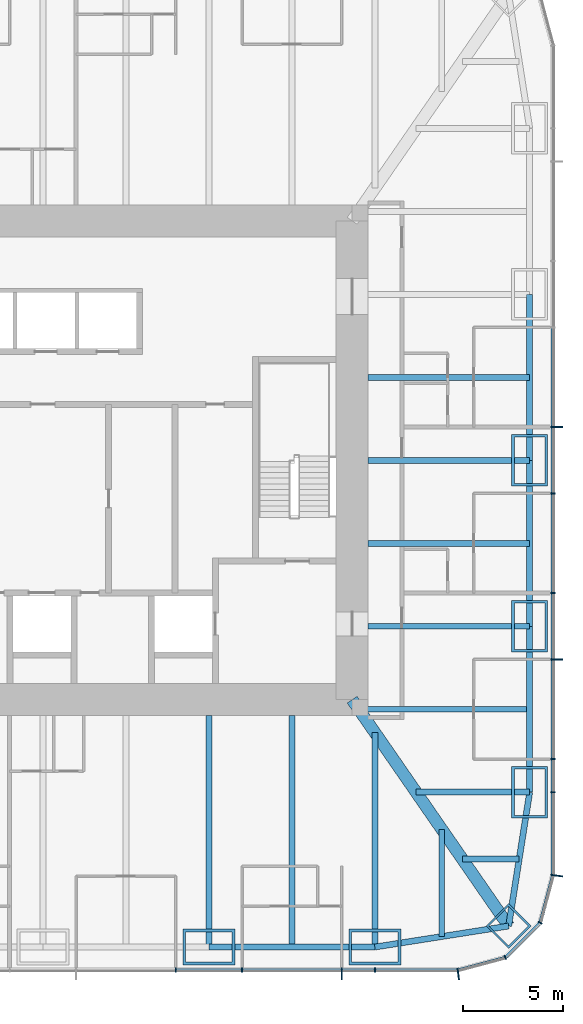
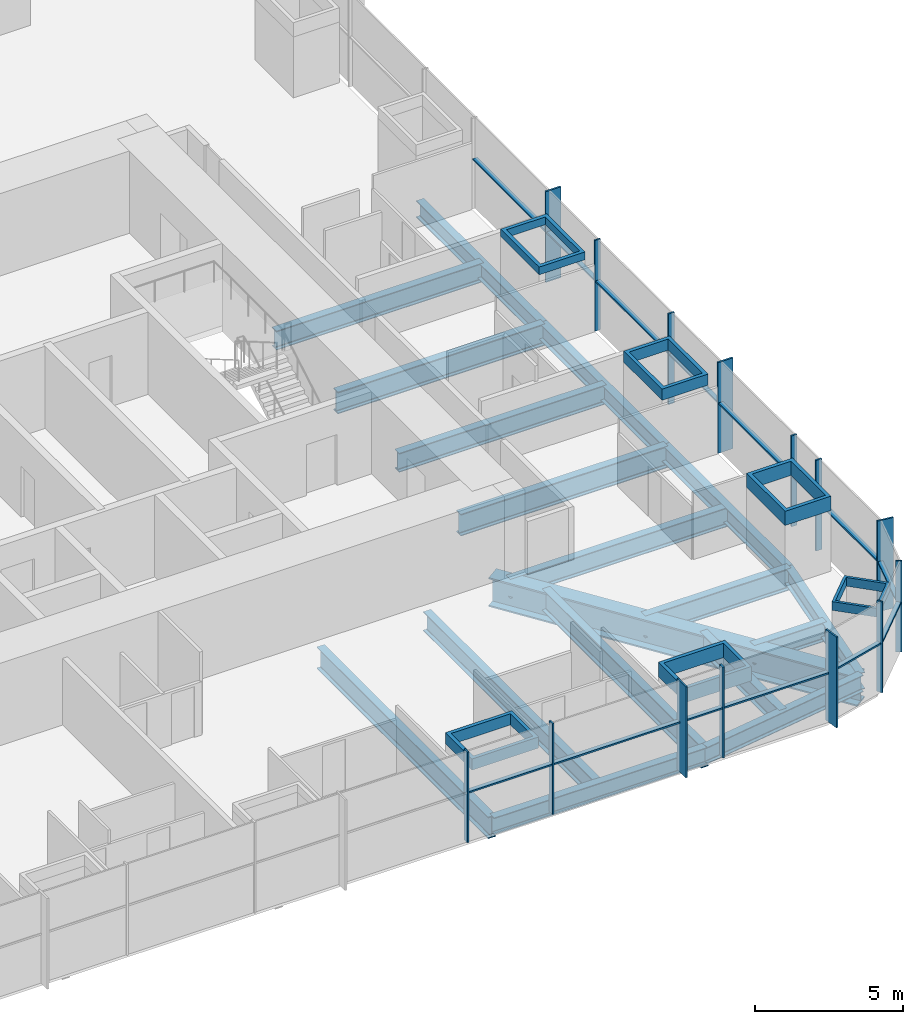
# One storey, part 4 of 13: 34 members, 18 beams, 3 elements without a shape of their own.
"""IFC4 building model written with IfcOpenShell, lengths in metres."""

from ifc_helpers import new_model, si_unit, direction, frame, origin, origin_2d, place, context, subcontext, project, spatial, rectangle, hollow_rectangle, i_section, extrude, material, material_profile, profile_set, type_object, element, aggregate, save


model = new_model("IFC4")

# Units and contexts
model_context = context("Model", 3, precision=1e-05, world=origin(), true_north=direction((0.0, 1.0)))
body_context = subcontext(model_context, "Body", "Model", "MODEL_VIEW")
ifc_project = project(units=[si_unit("LENGTHUNIT", "METRE"), si_unit("AREAUNIT", "SQUARE_METRE"), si_unit("VOLUMEUNIT", "CUBIC_METRE"), si_unit("PLANEANGLEUNIT", "RADIAN"), si_unit("MASSUNIT", "GRAM", prefix="KILO")], contexts=[model_context])

# Site, building, storey
site_placement = place(None, origin())
site = spatial("IfcSite", under=ifc_project, at=site_placement, CompositionType="ELEMENT")
building_placement = place(site_placement, origin())
building = spatial("IfcBuilding", under=site, at=building_placement, Name="Khuree Lantern Residences", CompositionType="ELEMENT")
storey_placement = place(building_placement, frame((0.0, 0.0, 274.5)))
storey = spatial("IfcBuildingStorey", under=building, at=storey_placement, Name="L69", CompositionType="ELEMENT", Elevation=274.5)

# Beams
ifc_material_1 = material(Name="Steel S355", Category="steel")
ifc_material_profile_1 = material_profile(ifc_material_1, i_section(OverallWidth=0.300048828125, OverallDepth=0.7900390625, WebThickness=0.014892578125, FlangeThickness=0.028076171875, FilletRadius=0.030029296875, at=origin_2d()), Name="HE 800 A")
ifc_profile_set_1 = profile_set([ifc_material_profile_1], Name="Steel S355")
beam_type_1 = type_object("IfcBeamType", Name="B-35A SECONDARY BEAM HE 800 A", PredefinedType="BEAM", material=ifc_profile_set_1)
for number, where, z_axis, x_axis, name in (
    (1, (24.39990234375, 4.159912109375, -0.64501953125), (-1.0, 0.0, 0.0), (0.0, -1.0, 0.0), "Secondary beam E3"),
    (2, (24.39990234375, -4.159912109375, -0.64501953125), (-1.0, 0.0, 0.0), (0.0, -1.0, 0.0), "Secondary beam E4"),
):
    element("IfcBeam", number, at=place(storey_placement, frame(where, z_axis=z_axis, x_axis=x_axis)), inside=storey, type_object=beam_type_1, Name=name, PredefinedType="BEAM", context=body_context, shape_type="SweptSolid", body=[
        extrude(i_section(OverallWidth=0.300048828125, OverallDepth=0.7900390625, WebThickness=0.014892578125, FlangeThickness=0.028076171875, FilletRadius=0.030029296875, at=origin_2d()), origin(), (0.0, 0.0, 1.0), 8.099853515625),
    ])
beam_1_placement = place(storey_placement, frame((24.39990234375, -12.47998046875, -0.64501953125), z_axis=(-1.0, 0.0, 0.0), x_axis=(0.0, -1.0, 0.0)))
element("IfcBeam", 3, at=beam_1_placement, inside=storey, type_object=beam_type_1, Name="Secondary beam E5", PredefinedType="BEAM", context=body_context, shape_type="SweptSolid", body=[
    extrude(i_section(OverallWidth=0.300048828125, OverallDepth=0.7900390625, WebThickness=0.014892578125, FlangeThickness=0.028076171875, FilletRadius=0.030029296875, at=origin_2d()), origin(), (0.0, 0.0, 1.0), 8.56787109375),
])
beam_2_placement = place(storey_placement, frame((23.872802734375, -19.992919921875, -0.64501953125), z_axis=(-1.0, 0.0, 0.0), x_axis=(0.0, -1.0, 0.0)))
element("IfcBeam", 4, at=beam_2_placement, inside=storey, type_object=beam_type_1, Name="Secondary beam E6", PredefinedType="BEAM", context=body_context, shape_type="SweptSolid", body=[
    extrude(i_section(OverallWidth=0.300048828125, OverallDepth=0.7900390625, WebThickness=0.014892578125, FlangeThickness=0.028076171875, FilletRadius=0.030029296875, at=origin_2d()), origin(), (0.0, 0.0, 1.0), 2.845703125),
])
beam_3_placement = place(storey_placement, frame((19.992919921875, -23.872802734375, -0.64501953125), z_axis=(0.0, 1.0, 0.0), x_axis=(-1.0, 0.0, 0.0)))
element("IfcBeam", 5, at=beam_3_placement, inside=storey, type_object=beam_type_1, Name="Secondary beam S1", PredefinedType="BEAM", context=body_context, shape_type="SweptSolid", body=[
    extrude(i_section(OverallWidth=0.300048828125, OverallDepth=0.7900390625, WebThickness=0.014892578125, FlangeThickness=0.028076171875, FilletRadius=0.030029296875, at=origin_2d()), origin(), (0.0, 0.0, 1.0), 5.375732421875),
])
beam_4_placement = place(storey_placement, frame((12.47998046875, -24.39990234375, -0.64501953125), z_axis=(0.0, 1.0, 0.0), x_axis=(-1.0, 0.0, 0.0)))
element("IfcBeam", 6, at=beam_4_placement, inside=storey, type_object=beam_type_1, Name="Secondary beam S2", PredefinedType="BEAM", context=body_context, shape_type="SweptSolid", body=[
    extrude(i_section(OverallWidth=0.300048828125, OverallDepth=0.7900390625, WebThickness=0.014892578125, FlangeThickness=0.028076171875, FilletRadius=0.030029296875, at=origin_2d()), origin(), (0.0, 0.0, 1.0), 11.599853515625),
])
ifc_material_profile_2 = material_profile(ifc_material_1, i_section(OverallWidth=0.300048828125, OverallDepth=0.68994140625, WebThickness=0.014404296875, FlangeThickness=0.027099609375, FilletRadius=0.027099609375, at=origin_2d()), Name="HE 700 A")
ifc_profile_set_2 = profile_set([ifc_material_profile_2], Name="Steel S355")
beam_type_2 = type_object("IfcBeamType", Name="E-35A SPANDREL BEAM HE 700 A", PredefinedType="SPANDREL", material=ifc_profile_set_2)
for number, where, z_axis, x_axis, name in (
    (7, (24.39990234375, 8.320068359375, -0.594970703125), (0.0, -1.0, 0.0), (1.0, 0.0, 0.0), "Spandrel beam E3"),
    (8, (24.39990234375, 0.0, -0.594970703125), (0.0, -1.0, 0.0), (1.0, 0.0, 0.0), "Spandrel beam E4"),
):
    element("IfcBeam", number, at=place(storey_placement, frame(where, z_axis=z_axis, x_axis=x_axis)), inside=storey, type_object=beam_type_2, Name=name, PredefinedType="SPANDREL", context=body_context, shape_type="SweptSolid", body=[
        extrude(i_section(OverallWidth=0.300048828125, OverallDepth=0.68994140625, WebThickness=0.014404296875, FlangeThickness=0.027099609375, FilletRadius=0.027099609375, at=origin_2d()), origin(), (0.0, 0.0, 1.0), 8.320068359375),
    ])
beam_5_placement = place(storey_placement, frame((24.39990234375, -8.320068359375, -0.594970703125), z_axis=(0.0, -1.0, 0.0), x_axis=(1.0, 0.0, 0.0)))
element("IfcBeam", 9, at=beam_5_placement, inside=storey, type_object=beam_type_2, Name="Spandrel beam E5", PredefinedType="SPANDREL", context=body_context, shape_type="SweptSolid", body=[
    extrude(i_section(OverallWidth=0.300048828125, OverallDepth=0.68994140625, WebThickness=0.014404296875, FlangeThickness=0.027099609375, FilletRadius=0.027099609375, at=origin_2d()), origin(), (0.0, 0.0, 1.0), 8.31982421875),
])
for number, where, z_axis, x_axis, name in (
    (10, (24.39990234375, -16.639892578125, -0.594970703125), (-0.155299507442, -0.98786743189, 0.0), (0.98786743189, -0.155299507442, 0.0), "Spandrel beam E6"),
    (11, (23.345703125, -23.345703125, -0.594970703125), (-0.98786743189, -0.155299507442, 0.0), (0.155299507442, -0.98786743189, 0.0), "Spandrel beam S1"),
):
    element("IfcBeam", number, at=place(storey_placement, frame(where, z_axis=z_axis, x_axis=x_axis)), inside=storey, type_object=beam_type_2, Name=name, PredefinedType="SPANDREL", context=body_context, shape_type="SweptSolid", body=[
        extrude(i_section(OverallWidth=0.300048828125, OverallDepth=0.68994140625, WebThickness=0.014404296875, FlangeThickness=0.027099609375, FilletRadius=0.027099609375, at=origin_2d()), origin(), (0.0, 0.0, 1.0), 6.7880859375),
    ])
beam_6_placement = place(storey_placement, frame((16.639892578125, -24.39990234375, -0.594970703125), z_axis=(-1.0, 0.0, 0.0), x_axis=(0.0, -1.0, 0.0)))
element("IfcBeam", 12, at=beam_6_placement, inside=storey, type_object=beam_type_2, Name="Spandrel beam S2", PredefinedType="SPANDREL", context=body_context, shape_type="SweptSolid", body=[
    extrude(i_section(OverallWidth=0.300048828125, OverallDepth=0.68994140625, WebThickness=0.014404296875, FlangeThickness=0.027099609375, FilletRadius=0.027099609375, at=origin_2d()), origin(), (0.0, 0.0, 1.0), 8.31982421875),
])

# Curtain wall, member
ifc_material_2 = material(Name="Bronze anodised aluminium", Category="aluminium")
curtain_wall_type_1 = type_object("IfcCurtainWallType", Name="CW-T2 TOWER CORNER CURTAIN WALL", PredefinedType="USERDEFINED", material=ifc_material_2)
curtain_wall_1_placement = place(storey_placement, origin())
curtain_wall_1 = element("IfcCurtainWall", 13, at=curtain_wall_1_placement, inside=storey, type_object=curtain_wall_type_1, Name="L69 SOUTH-EAST CORNER CURTAIN WALL", ObjectType="Faceted corner curtain wall", PredefinedType="USERDEFINED")
ifc_material_profile_3 = material_profile(ifc_material_2, rectangle(XDim=0.06494140625, YDim=0.60009765625, at=origin_2d()), Name="F1 65X600")
ifc_profile_set_3 = profile_set([ifc_material_profile_3], Name="Bronze anodised aluminium")
member_type_1 = type_object("IfcMemberType", Name="F1 BRONZE FIN MULLION TOWER 65X600", PredefinedType="MULLION", material=ifc_profile_set_3)
member_1_placement = place(storey_placement, frame((20.81982421875, -25.75, 0.0), z_axis=(0.0, 0.0, 1.0), x_axis=(0.991444862943, 0.130526180298, 0.0)))
member_1 = element("IfcMember", 14, at=member_1_placement, type_object=member_type_1, Name="L69 SOUTH-EAST CORNER FIN MULLION 1", PredefinedType="MULLION", context=body_context, shape_type="SweptSolid", body=[
    extrude(rectangle(XDim=0.06494140625, YDim=0.60009765625, at=origin_2d()), origin(), (0.0, 0.0, 1.0), 3.75),
])

# Curtain wall, members
curtain_wall_type_2 = type_object("IfcCurtainWallType", Name="CW-T1 TOWER FACE CURTAIN WALL", PredefinedType="USERDEFINED", material=ifc_material_2)
curtain_wall_2_placement = place(storey_placement, origin())
curtain_wall_2 = element("IfcCurtainWall", 15, at=curtain_wall_2_placement, inside=storey, type_object=curtain_wall_type_2, Name="L69 EAST FACE CURTAIN WALL", ObjectType="Stick-built curtain wall", PredefinedType="USERDEFINED")
member_2_placement = place(storey_placement, frame((25.75, -20.81982421875, 0.0), z_axis=(0.0, 0.0, 1.0), x_axis=(0.130526180298, 0.991444862943, 0.0)))
member_2 = element("IfcMember", 16, at=member_2_placement, type_object=member_type_1, Name="L69 EAST FACE FIN MULLION 4", PredefinedType="MULLION", context=body_context, shape_type="SweptSolid", body=[
    extrude(rectangle(XDim=0.06494140625, YDim=0.60009765625, at=origin_2d()), origin(), (0.0, 0.0, 1.0), 3.75),
])
member_3_placement = place(storey_placement, frame((25.75, -9.98388671875, 0.0), z_axis=(0.0, 0.0, 1.0), x_axis=(0.0, 1.0, 0.0)))
member_3 = element("IfcMember", 17, at=member_3_placement, type_object=member_type_1, Name="L69 EAST FACE FIN MULLION 7", PredefinedType="MULLION", context=body_context, shape_type="SweptSolid", body=[
    extrude(rectangle(XDim=0.06494140625, YDim=0.60009765625, at=origin_2d()), origin(), (0.0, 0.0, 1.0), 3.75),
])
member_4_placement = place(storey_placement, frame((25.75, 1.6640625, 0.0), z_axis=(0.0, 0.0, 1.0), x_axis=(0.0, 1.0, 0.0)))
member_4 = element("IfcMember", 18, at=member_4_placement, type_object=member_type_1, Name="L69 EAST FACE FIN MULLION 10", PredefinedType="MULLION", context=body_context, shape_type="SweptSolid", body=[
    extrude(rectangle(XDim=0.06494140625, YDim=0.60009765625, at=origin_2d()), origin(), (0.0, 0.0, 1.0), 3.75),
])

# Curtain wall, member
curtain_wall_3_placement = place(storey_placement, origin())
curtain_wall_3 = element("IfcCurtainWall", 19, at=curtain_wall_3_placement, inside=storey, type_object=curtain_wall_type_2, Name="L69 SOUTH FACE CURTAIN WALL", ObjectType="Stick-built curtain wall", PredefinedType="USERDEFINED")
member_5_placement = place(storey_placement, frame((14.97607421875, -25.75, 0.0), z_axis=(0.0, 0.0, 1.0), x_axis=(1.0, 0.0, 0.0)))
member_5 = element("IfcMember", 20, at=member_5_placement, type_object=member_type_1, Name="L69 SOUTH FACE FIN MULLION 55", PredefinedType="MULLION", context=body_context, shape_type="SweptSolid", body=[
    extrude(rectangle(XDim=0.06494140625, YDim=0.60009765625, at=origin_2d()), origin(), (0.0, 0.0, 1.0), 3.75),
])

# Beams
ifc_material_profile_4 = material_profile(ifc_material_1, i_section(OverallWidth=0.300048828125, OverallDepth=0.89990234375, WebThickness=0.0185546875, FlangeThickness=0.034912109375, FilletRadius=0.030029296875, at=origin_2d()), Name="HE 900 B")
ifc_profile_set_4 = profile_set([ifc_material_profile_4], Name="Steel S355")
beam_type_3 = type_object("IfcBeamType", Name="G-35 GIRDER HE 900 B", PredefinedType="BEAM", material=ifc_profile_set_4)
for number, where, z_axis, x_axis, name in (
    (21, (24.39990234375, 0.0, -0.699951171875), (-1.0, 0.0, 0.0), (0.0, -1.0, 0.0), "Girder E3"),
    (22, (24.39990234375, -8.320068359375, -0.699951171875), (-1.0, 0.0, 0.0), (0.0, -1.0, 0.0), "Girder E4"),
):
    element("IfcBeam", number, at=place(storey_placement, frame(where, z_axis=z_axis, x_axis=x_axis)), inside=storey, type_object=beam_type_3, Name=name, PredefinedType="BEAM", context=body_context, shape_type="SweptSolid", body=[
        extrude(i_section(OverallWidth=0.300048828125, OverallDepth=0.89990234375, WebThickness=0.0185546875, FlangeThickness=0.034912109375, FilletRadius=0.030029296875, at=origin_2d()), origin(), (0.0, 0.0, 1.0), 8.099853515625),
    ])
beam_7_placement = place(storey_placement, frame((24.39990234375, -16.639892578125, -0.699951171875), z_axis=(-1.0, 0.0, 0.0), x_axis=(0.0, -1.0, 0.0)))
element("IfcBeam", 23, at=beam_7_placement, inside=storey, type_object=beam_type_3, Name="Girder E5", PredefinedType="BEAM", context=body_context, shape_type="SweptSolid", body=[
    extrude(i_section(OverallWidth=0.300048828125, OverallDepth=0.89990234375, WebThickness=0.0185546875, FlangeThickness=0.034912109375, FilletRadius=0.030029296875, at=origin_2d()), origin(), (0.0, 0.0, 1.0), 5.69140625),
])
beam_8_placement = place(storey_placement, frame((16.639892578125, -24.39990234375, -0.699951171875), z_axis=(0.0, 1.0, 0.0), x_axis=(-1.0, 0.0, 0.0)))
element("IfcBeam", 24, at=beam_8_placement, inside=storey, type_object=beam_type_3, Name="Girder S1", PredefinedType="BEAM", context=body_context, shape_type="SweptSolid", body=[
    extrude(i_section(OverallWidth=0.300048828125, OverallDepth=0.89990234375, WebThickness=0.0185546875, FlangeThickness=0.034912109375, FilletRadius=0.030029296875, at=origin_2d()), origin(), (0.0, 0.0, 1.0), 10.751220703125),
])
beam_9_placement = place(storey_placement, frame((8.320068359375, -24.39990234375, -0.699951171875), z_axis=(0.0, 1.0, 0.0), x_axis=(-1.0, 0.0, 0.0)))
element("IfcBeam", 25, at=beam_9_placement, inside=storey, type_object=beam_type_3, Name="Girder S2", PredefinedType="BEAM", context=body_context, shape_type="SweptSolid", body=[
    extrude(i_section(OverallWidth=0.300048828125, OverallDepth=0.89990234375, WebThickness=0.0185546875, FlangeThickness=0.034912109375, FilletRadius=0.030029296875, at=origin_2d()), origin(), (0.0, 0.0, 1.0), 11.599853515625),
])
ifc_material_profile_5 = material_profile(ifc_material_1, i_section(OverallWidth=0.60009765625, OverallDepth=1.199951171875, WebThickness=0.030029296875, FlangeThickness=0.06005859375, at=origin_2d()), Name="WELDED I 1200X600X30X60")
ifc_profile_set_5 = profile_set([ifc_material_profile_5], Name="Steel S355")
beam_type_4 = type_object("IfcBeamType", Name="GD-35A CORNER GIRDER WELDED I 1200X600X30X60", PredefinedType="BEAM", material=ifc_profile_set_5)
beam_10_placement = place(storey_placement, frame((23.345703125, -23.345703125, -0.85009765625), z_axis=(-0.56876813501, 0.822497907959, 0.0), x_axis=(-0.822497907959, -0.56876813501, 0.0)))
element("IfcBeam", 26, at=beam_10_placement, inside=storey, type_object=beam_type_4, Name="Corner girder SE", PredefinedType="BEAM", context=body_context, shape_type="SweptSolid", body=[
    extrude(i_section(OverallWidth=0.60009765625, OverallDepth=1.199951171875, WebThickness=0.030029296875, FlangeThickness=0.06005859375, at=origin_2d()), origin(), (0.0, 0.0, 1.0), 13.794189453125),
])

# Member
ifc_material_profile_6 = material_profile(ifc_material_2, rectangle(XDim=0.06494140625, YDim=0.219970703125, at=origin_2d()), Name="M1 65X220")
ifc_profile_set_6 = profile_set([ifc_material_profile_6], Name="Bronze anodised aluminium")
member_type_2 = type_object("IfcMemberType", Name="M1 BRONZE MULLION TOWER 65X220", PredefinedType="MULLION", material=ifc_profile_set_6)
member_6_placement = place(storey_placement, frame((23.179931640625, -24.92236328125, 0.0), z_axis=(0.0, 0.0, 1.0), x_axis=(0.866025409797, 0.499999989586, 0.0)))
member_6 = element("IfcMember", 27, at=member_6_placement, type_object=member_type_2, Name="L69 SOUTH-EAST CORNER MULLION 2", PredefinedType="MULLION", context=body_context, shape_type="SweptSolid", body=[
    extrude(rectangle(XDim=0.06494140625, YDim=0.219970703125, at=origin_2d()), origin(), (0.0, 0.0, 1.0), 3.75),
])

member_7_placement = place(storey_placement, frame((24.92236328125, -23.179931640625, 0.0), z_axis=(0.0, 0.0, 1.0), x_axis=(0.499999989586, 0.866025409797, 0.0)))
member_7 = element("IfcMember", 28, at=member_7_placement, type_object=member_type_2, Name="L69 SOUTH-EAST CORNER MULLION 3", PredefinedType="MULLION", context=body_context, shape_type="SweptSolid", body=[
    extrude(rectangle(XDim=0.06494140625, YDim=0.219970703125, at=origin_2d()), origin(), (0.0, 0.0, 1.0), 3.75),
])

member_8_placement = place(storey_placement, frame((25.56005859375, -16.639892578125, 0.0), z_axis=(0.0, 0.0, 1.0), x_axis=(0.0, 1.0, 0.0)))
member_8 = element("IfcMember", 29, at=member_8_placement, type_object=member_type_2, Name="L69 EAST FACE MULLION 5", PredefinedType="MULLION", context=body_context, shape_type="SweptSolid", body=[
    extrude(rectangle(XDim=0.06494140625, YDim=0.219970703125, at=origin_2d()), origin(), (0.0, 0.0, 1.0), 3.75),
])

member_9_placement = place(storey_placement, frame((25.56005859375, -14.97607421875, 0.0), z_axis=(0.0, 0.0, 1.0), x_axis=(0.0, 1.0, 0.0)))
member_9 = element("IfcMember", 30, at=member_9_placement, type_object=member_type_2, Name="L69 EAST FACE MULLION 6", PredefinedType="MULLION", context=body_context, shape_type="SweptSolid", body=[
    extrude(rectangle(XDim=0.06494140625, YDim=0.219970703125, at=origin_2d()), origin(), (0.0, 0.0, 1.0), 3.75),
])

member_10_placement = place(storey_placement, frame((25.56005859375, -6.656005859375, 0.0), z_axis=(0.0, 0.0, 1.0), x_axis=(0.0, 1.0, 0.0)))
member_10 = element("IfcMember", 31, at=member_10_placement, type_object=member_type_2, Name="L69 EAST FACE MULLION 8", PredefinedType="MULLION", context=body_context, shape_type="SweptSolid", body=[
    extrude(rectangle(XDim=0.06494140625, YDim=0.219970703125, at=origin_2d()), origin(), (0.0, 0.0, 1.0), 3.75),
])

member_11_placement = place(storey_placement, frame((25.56005859375, -1.6640625, 0.0), z_axis=(0.0, 0.0, 1.0), x_axis=(0.0, 1.0, 0.0)))
member_11 = element("IfcMember", 32, at=member_11_placement, type_object=member_type_2, Name="L69 EAST FACE MULLION 9", PredefinedType="MULLION", context=body_context, shape_type="SweptSolid", body=[
    extrude(rectangle(XDim=0.06494140625, YDim=0.219970703125, at=origin_2d()), origin(), (0.0, 0.0, 1.0), 3.75),
])

member_12_placement = place(storey_placement, frame((6.656005859375, -25.56005859375, 0.0), z_axis=(0.0, 0.0, 1.0), x_axis=(1.0, 0.0, 0.0)))
member_12 = element("IfcMember", 33, at=member_12_placement, type_object=member_type_2, Name="L69 SOUTH FACE MULLION 53", PredefinedType="MULLION", context=body_context, shape_type="SweptSolid", body=[
    extrude(rectangle(XDim=0.06494140625, YDim=0.219970703125, at=origin_2d()), origin(), (0.0, 0.0, 1.0), 3.75),
])

member_13_placement = place(storey_placement, frame((9.98388671875, -25.56005859375, 0.0), z_axis=(0.0, 0.0, 1.0), x_axis=(1.0, 0.0, 0.0)))
member_13 = element("IfcMember", 34, at=member_13_placement, type_object=member_type_2, Name="L69 SOUTH FACE MULLION 54", PredefinedType="MULLION", context=body_context, shape_type="SweptSolid", body=[
    extrude(rectangle(XDim=0.06494140625, YDim=0.219970703125, at=origin_2d()), origin(), (0.0, 0.0, 1.0), 3.75),
])

member_14_placement = place(storey_placement, frame((16.639892578125, -25.56005859375, 0.0), z_axis=(0.0, 0.0, 1.0), x_axis=(1.0, 0.0, 0.0)))
member_14 = element("IfcMember", 35, at=member_14_placement, type_object=member_type_2, Name="L69 SOUTH FACE MULLION 56", PredefinedType="MULLION", context=body_context, shape_type="SweptSolid", body=[
    extrude(rectangle(XDim=0.06494140625, YDim=0.219970703125, at=origin_2d()), origin(), (0.0, 0.0, 1.0), 3.75),
])

# Members
ifc_material_3 = material(Name="Steel S355 CFT welded box", Category="steel")
ifc_material_profile_7 = material_profile(ifc_material_3, hollow_rectangle(XDim=1.60009765625, YDim=1.60009765625, WallThickness=0.10009765625, at=origin_2d()), Name="WELDED BOX 1600X1600X100")
ifc_profile_set_7 = profile_set([ifc_material_profile_7], Name="Steel S355 CFT welded box")
member_type_3 = type_object("IfcMemberType", Name="MNA MEGA COLUMN NODE WELDED BOX 1600X1600X100", PredefinedType="MEMBER", material=ifc_profile_set_7)
member_15_placement = place(storey_placement, frame((23.345703125, -23.345703125, 2.739990234375), z_axis=(0.0, 0.0, 1.0), x_axis=(0.707106781187, 0.707106781187, 0.0)))
element("IfcMember", 36, at=member_15_placement, inside=storey, type_object=member_type_3, Name="Mega column node SE", PredefinedType="MEMBER", context=body_context, shape_type="SweptSolid", body=[
    extrude(hollow_rectangle(XDim=1.60009765625, YDim=1.60009765625, WallThickness=0.10009765625, at=origin_2d()), origin(), (0.0, 0.0, 1.0), 0.360107421875),
])
ifc_material_profile_8 = material_profile(ifc_material_3, hollow_rectangle(XDim=2.60009765625, YDim=1.800048828125, WallThickness=0.139892578125, at=origin_2d()), Name="WELDED BOX 2600X1800X140")
ifc_profile_set_8 = profile_set([ifc_material_profile_8], Name="Steel S355 CFT welded box")
member_type_4 = type_object("IfcMemberType", Name="MNB MEGA COLUMN NODE WELDED BOX 2600X1800X140", PredefinedType="MEMBER", material=ifc_profile_set_8)
member_16_placement = place(storey_placement, frame((24.39990234375, 0.0, 2.780029296875), z_axis=(0.0, 0.0, 1.0), x_axis=(0.0, 1.0, 0.0)))
element("IfcMember", 37, at=member_16_placement, inside=storey, type_object=member_type_4, Name="Mega column node E3", PredefinedType="MEMBER", context=body_context, shape_type="SweptSolid", body=[
    extrude(hollow_rectangle(XDim=2.60009765625, YDim=1.800048828125, WallThickness=0.139892578125, at=origin_2d()), origin(), (0.0, 0.0, 1.0), 0.320068359375),
])
member_17_placement = place(storey_placement, frame((24.39990234375, -8.320068359375, 2.639892578125), z_axis=(0.0, 0.0, 1.0), x_axis=(0.0, 1.0, 0.0)))
element("IfcMember", 38, at=member_17_placement, inside=storey, type_object=member_type_4, Name="Mega column node E4", PredefinedType="MEMBER", context=body_context, shape_type="SweptSolid", body=[
    extrude(hollow_rectangle(XDim=2.60009765625, YDim=1.800048828125, WallThickness=0.139892578125, at=origin_2d()), origin(), (0.0, 0.0, 1.0), 0.460205078125),
])
for number, where, z_axis, x_axis, name in (
    (39, (24.39990234375, -16.639892578125, 2.510009765625), (0.0, 0.0, 1.0), (0.0, 1.0, 0.0), "Mega column node E5"),
    (40, (16.639892578125, -24.39990234375, 2.510009765625), (0.0, 0.0, 1.0), (1.0, 0.0, 0.0), "Mega column node S1"),
):
    element("IfcMember", number, at=place(storey_placement, frame(where, z_axis=z_axis, x_axis=x_axis)), inside=storey, type_object=member_type_4, Name=name, PredefinedType="MEMBER", context=body_context, shape_type="SweptSolid", body=[
        extrude(hollow_rectangle(XDim=2.60009765625, YDim=1.800048828125, WallThickness=0.139892578125, at=origin_2d()), origin(), (0.0, 0.0, 1.0), 0.590087890625),
    ])
member_18_placement = place(storey_placement, frame((8.320068359375, -24.39990234375, 2.639892578125), z_axis=(0.0, 0.0, 1.0), x_axis=(1.0, 0.0, 0.0)))
element("IfcMember", 41, at=member_18_placement, inside=storey, type_object=member_type_4, Name="Mega column node S2", PredefinedType="MEMBER", context=body_context, shape_type="SweptSolid", body=[
    extrude(hollow_rectangle(XDim=2.60009765625, YDim=1.800048828125, WallThickness=0.139892578125, at=origin_2d()), origin(), (0.0, 0.0, 1.0), 0.460205078125),
])

# Member
ifc_material_profile_9 = material_profile(ifc_material_2, rectangle(XDim=0.179931640625, YDim=0.06494140625, at=origin_2d()), Name="T1 180X65")
ifc_profile_set_9 = profile_set([ifc_material_profile_9], Name="Bronze anodised aluminium")
member_type_5 = type_object("IfcMemberType", Name="TRANSOM T1 TOWER 180X65", PredefinedType="USERDEFINED", material=ifc_profile_set_9)
member_19_placement = place(storey_placement, frame((20.839111328125, -25.558349609375, 2.050048828125), z_axis=(0.965947132115, 0.258739517581, 0.0), x_axis=(-0.258739517581, 0.965947132115, 0.0)))
member_19 = element("IfcMember", 42, at=member_19_placement, type_object=member_type_5, Name="L69 SOUTH-EAST CORNER TRANSOM 1.1", ObjectType="Transom", PredefinedType="USERDEFINED", context=body_context, shape_type="SweptSolid", body=[
    extrude(rectangle(XDim=0.179931640625, YDim=0.06494140625, at=origin_2d()), origin(), (0.0, 0.0, 1.0), 2.370361328125),
])

member_20_placement = place(storey_placement, frame((23.225341796875, -24.88916015625, 2.050048828125), z_axis=(0.707106781187, 0.707106781187, 0.0), x_axis=(-0.707106781187, 0.707106781187, 0.0)))
member_20 = element("IfcMember", 43, at=member_20_placement, type_object=member_type_5, Name="L69 SOUTH-EAST CORNER TRANSOM 2.1", ObjectType="Transom", PredefinedType="USERDEFINED", context=body_context, shape_type="SweptSolid", body=[
    extrude(rectangle(XDim=0.179931640625, YDim=0.06494140625, at=origin_2d()), origin(), (0.0, 0.0, 1.0), 2.35302734375),
])

member_21_placement = place(storey_placement, frame((24.945068359375, -23.128662109375, 2.050048828125), z_axis=(0.258739517581, 0.965947132115, 0.0), x_axis=(-0.965947132115, 0.258739517581, 0.0)))
member_21 = element("IfcMember", 44, at=member_21_placement, type_object=member_type_5, Name="L69 SOUTH-EAST CORNER TRANSOM 3.1", ObjectType="Transom", PredefinedType="USERDEFINED", context=body_context, shape_type="SweptSolid", body=[
    extrude(rectangle(XDim=0.179931640625, YDim=0.06494140625, at=origin_2d()), origin(), (0.0, 0.0, 1.0), 2.370361328125),
])

aggregate(curtain_wall_1, [member_1, member_6, member_7, member_19, member_20, member_21])

member_22_placement = place(storey_placement, frame((25.570068359375, -20.75146484375, 2.050048828125), z_axis=(0.0, 1.0, 0.0), x_axis=(-1.0, 0.0, 0.0)))
member_22 = element("IfcMember", 45, at=member_22_placement, type_object=member_type_5, Name="L69 EAST FACE TRANSOM 4.1", ObjectType="Transom", PredefinedType="USERDEFINED", context=body_context, shape_type="SweptSolid", body=[
    extrude(rectangle(XDim=0.179931640625, YDim=0.06494140625, at=origin_2d()), origin(), (0.0, 0.0, 1.0), 4.078857421875),
])

member_23_placement = place(storey_placement, frame((25.570068359375, -16.607421875, 2.050048828125), z_axis=(0.0, 1.0, 0.0), x_axis=(-1.0, 0.0, 0.0)))
member_23 = element("IfcMember", 46, at=member_23_placement, type_object=member_type_5, Name="L69 EAST FACE TRANSOM 5.1", ObjectType="Transom", PredefinedType="USERDEFINED", context=body_context, shape_type="SweptSolid", body=[
    extrude(rectangle(XDim=0.179931640625, YDim=0.06494140625, at=origin_2d()), origin(), (0.0, 0.0, 1.0), 1.598876953125),
])

member_24_placement = place(storey_placement, frame((25.570068359375, -14.943603515625, 2.050048828125), z_axis=(0.0, 1.0, 0.0), x_axis=(-1.0, 0.0, 0.0)))
member_24 = element("IfcMember", 47, at=member_24_placement, type_object=member_type_5, Name="L69 EAST FACE TRANSOM 6.1", ObjectType="Transom", PredefinedType="USERDEFINED", context=body_context, shape_type="SweptSolid", body=[
    extrude(rectangle(XDim=0.179931640625, YDim=0.06494140625, at=origin_2d()), origin(), (0.0, 0.0, 1.0), 4.927001953125),
])

member_25_placement = place(storey_placement, frame((25.570068359375, -9.951416015625, 2.050048828125), z_axis=(0.0, 1.0, 0.0), x_axis=(-1.0, 0.0, 0.0)))
member_25 = element("IfcMember", 48, at=member_25_placement, type_object=member_type_5, Name="L69 EAST FACE TRANSOM 7.1", ObjectType="Transom", PredefinedType="USERDEFINED", context=body_context, shape_type="SweptSolid", body=[
    extrude(rectangle(XDim=0.179931640625, YDim=0.06494140625, at=origin_2d()), origin(), (0.0, 0.0, 1.0), 3.262939453125),
])

member_26_placement = place(storey_placement, frame((25.570068359375, -6.62353515625, 2.050048828125), z_axis=(0.0, 1.0, 0.0), x_axis=(-1.0, 0.0, 0.0)))
member_26 = element("IfcMember", 49, at=member_26_placement, type_object=member_type_5, Name="L69 EAST FACE TRANSOM 8.1", ObjectType="Transom", PredefinedType="USERDEFINED", context=body_context, shape_type="SweptSolid", body=[
    extrude(rectangle(XDim=0.179931640625, YDim=0.06494140625, at=origin_2d()), origin(), (0.0, 0.0, 1.0), 4.927001953125),
])

member_27_placement = place(storey_placement, frame((25.570068359375, -1.631591796875, 2.050048828125), z_axis=(0.0, 1.0, 0.0), x_axis=(-1.0, 0.0, 0.0)))
member_27 = element("IfcMember", 50, at=member_27_placement, type_object=member_type_5, Name="L69 EAST FACE TRANSOM 9.1", ObjectType="Transom", PredefinedType="USERDEFINED", context=body_context, shape_type="SweptSolid", body=[
    extrude(rectangle(XDim=0.179931640625, YDim=0.06494140625, at=origin_2d()), origin(), (0.0, 0.0, 1.0), 3.26318359375),
])

member_28_placement = place(storey_placement, frame((25.570068359375, 1.696533203125, 2.050048828125), z_axis=(0.0, 1.0, 0.0), x_axis=(-1.0, 0.0, 0.0)))
member_28 = element("IfcMember", 51, at=member_28_placement, type_object=member_type_5, Name="L69 EAST FACE TRANSOM 10.1", ObjectType="Transom", PredefinedType="USERDEFINED", context=body_context, shape_type="SweptSolid", body=[
    extrude(rectangle(XDim=0.179931640625, YDim=0.06494140625, at=origin_2d()), origin(), (0.0, 0.0, 1.0), 4.927001953125),
])

aggregate(curtain_wall_2, [member_2, member_8, member_9, member_3, member_10, member_11, member_4, member_22, member_23, member_24, member_25, member_26, member_27, member_28])

member_29_placement = place(storey_placement, frame((6.6884765625, -25.570068359375, 2.050048828125), z_axis=(1.0, 0.0, 0.0), x_axis=(0.0, 1.0, 0.0)))
member_29 = element("IfcMember", 52, at=member_29_placement, type_object=member_type_5, Name="L69 SOUTH FACE TRANSOM 53.1", ObjectType="Transom", PredefinedType="USERDEFINED", context=body_context, shape_type="SweptSolid", body=[
    extrude(rectangle(XDim=0.179931640625, YDim=0.06494140625, at=origin_2d()), origin(), (0.0, 0.0, 1.0), 3.262939453125),
])

member_30_placement = place(storey_placement, frame((10.0166015625, -25.570068359375, 2.050048828125), z_axis=(1.0, 0.0, 0.0), x_axis=(0.0, 1.0, 0.0)))
member_30 = element("IfcMember", 53, at=member_30_placement, type_object=member_type_5, Name="L69 SOUTH FACE TRANSOM 54.1", ObjectType="Transom", PredefinedType="USERDEFINED", context=body_context, shape_type="SweptSolid", body=[
    extrude(rectangle(XDim=0.179931640625, YDim=0.06494140625, at=origin_2d()), origin(), (0.0, 0.0, 1.0), 4.927001953125),
])

member_31_placement = place(storey_placement, frame((15.008544921875, -25.570068359375, 2.050048828125), z_axis=(1.0, 0.0, 0.0), x_axis=(0.0, 1.0, 0.0)))
member_31 = element("IfcMember", 54, at=member_31_placement, type_object=member_type_5, Name="L69 SOUTH FACE TRANSOM 55.1", ObjectType="Transom", PredefinedType="USERDEFINED", context=body_context, shape_type="SweptSolid", body=[
    extrude(rectangle(XDim=0.179931640625, YDim=0.06494140625, at=origin_2d()), origin(), (0.0, 0.0, 1.0), 1.598876953125),
])

member_32_placement = place(storey_placement, frame((16.672607421875, -25.570068359375, 2.050048828125), z_axis=(1.0, 0.0, 0.0), x_axis=(0.0, 1.0, 0.0)))
member_32 = element("IfcMember", 55, at=member_32_placement, type_object=member_type_5, Name="L69 SOUTH FACE TRANSOM 56.1", ObjectType="Transom", PredefinedType="USERDEFINED", context=body_context, shape_type="SweptSolid", body=[
    extrude(rectangle(XDim=0.179931640625, YDim=0.06494140625, at=origin_2d()), origin(), (0.0, 0.0, 1.0), 4.078857421875),
])

aggregate(curtain_wall_3, [member_12, member_13, member_5, member_14, member_29, member_30, member_31, member_32])

save(model, "model.ifc")
